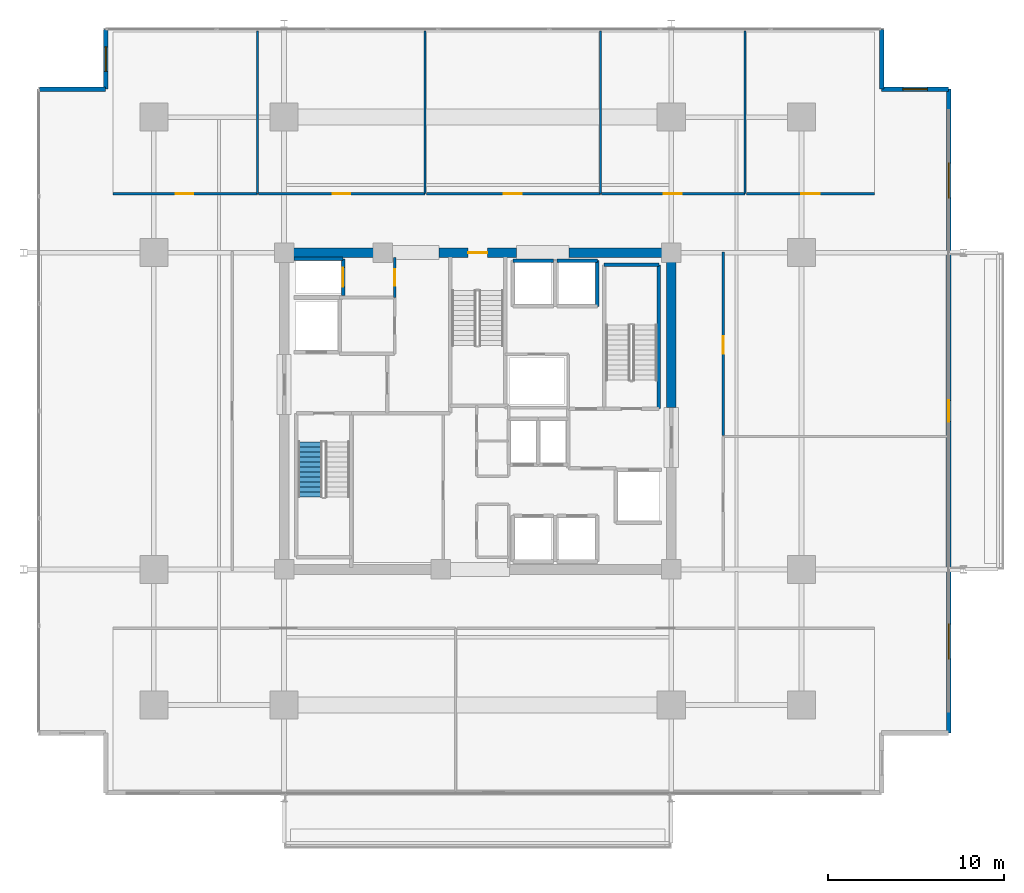
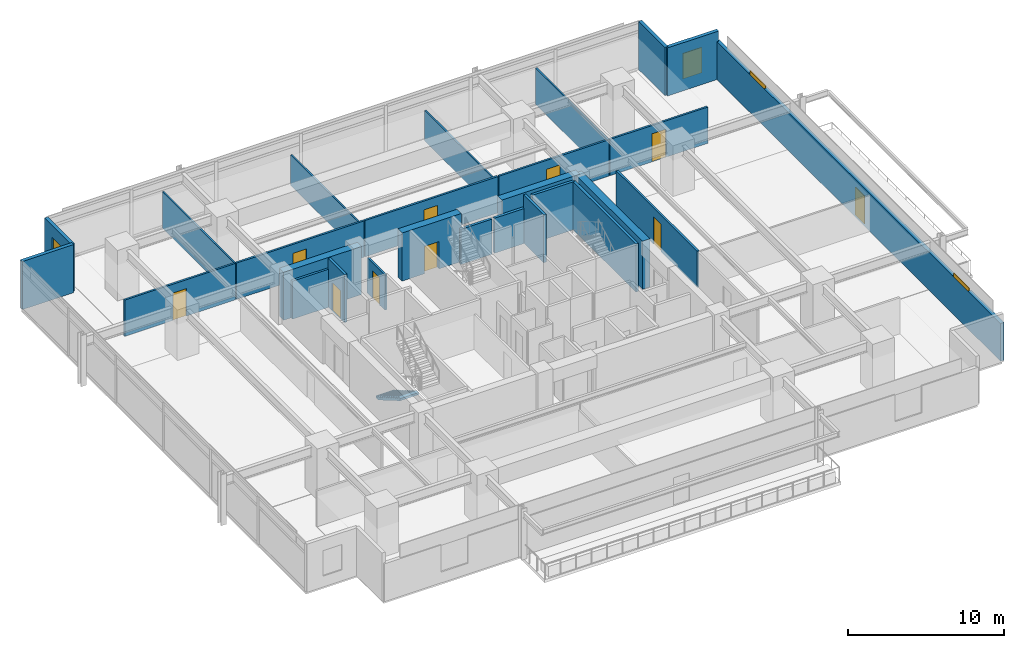
# One storey, part 15 of 21: 27 walls, 10 doors, 4 windows, 1 stair flight, 14 openings, 1 element without a shape of its own.
"""IFC4 building model written with IfcOpenShell, lengths in metres."""

from ifc_helpers import new_model, si_unit, direction, frame, frame_2d, origin, place, context, subcontext, project, spatial, polyline, rectangle, outline, extrude, material, layer, layer_set, type_object, element, fill, aggregate, save


model = new_model("IFC4")

# Units and contexts
model_context = context("Model", 3, precision=1e-05, world=origin(), true_north=direction((0.0, 1.0)))
body_context = subcontext(model_context, "Body", "Model", "MODEL_VIEW")
ifc_project = project(units=[si_unit("LENGTHUNIT", "METRE"), si_unit("AREAUNIT", "SQUARE_METRE"), si_unit("VOLUMEUNIT", "CUBIC_METRE"), si_unit("PLANEANGLEUNIT", "RADIAN"), si_unit("MASSUNIT", "GRAM", prefix="KILO")], contexts=[model_context])

# Site, building, storey
site_placement = place(None, origin())
site = spatial("IfcSite", under=ifc_project, at=site_placement, CompositionType="ELEMENT")
building_placement = place(site_placement, origin())
building = spatial("IfcBuilding", under=site, at=building_placement, Name="Kovane Verandah Tower", CompositionType="ELEMENT")
storey_placement = place(building_placement, frame((0.0, 0.0, 176.39990234375)))
storey = spatial("IfcBuildingStorey", under=building, at=storey_placement, Name="L41", CompositionType="ELEMENT", Elevation=176.39990234375)

# Wall, opening, door
ifc_material_1 = material(Name="Fire-Rated Gypsum Stud Partition", Category="gypsum")
ifc_layer_1 = layer(ifc_material_1, 0.14990234375)
ifc_layer_set_1 = layer_set([ifc_layer_1], Name="Fire-Rated Gypsum Stud Partition")
wall_type_1 = type_object("IfcWallType", Name="WL-COR-150", PredefinedType="PARTITIONING", material=ifc_layer_set_1)
wall_1_placement = place(storey_placement, frame((35.280029296875, 33.949951171875, 0.0), z_axis=(0.0, 0.0, 1.0), x_axis=(0.0, 1.0, 0.0)))
wall_1 = element("IfcWall", 1, at=wall_1_placement, inside=storey, type_object=wall_type_1, Name="L41 Goods Lift Lobby East Fire Partition", PredefinedType="PARTITIONING", context=body_context, shape_type="SweptSolid", body=[
    extrude(rectangle(XDim=2.27001953125, YDim=0.14990234375, at=frame_2d((1.135009765625, 0.0))), origin(), (0.0, 0.0, 1.0), 2.755126953125),
])
opening_1_placement = place(wall_1_placement, frame((0.659912109375, 0.0, 0.0)))
opening_1 = element("IfcOpeningElement", 2, at=opening_1_placement, cuts=wall_1, Name="Opening DR-L41-008", PredefinedType="OPENING", context=body_context, shape_type="SweptSolid", body=[
    extrude(rectangle(XDim=0.949951171875, YDim=2.14990234375, at=frame_2d((0.47509765625, 1.074951171875))), frame((0.0, 0.074951171875, 0.0), z_axis=(0.0, -1.0, 0.0), x_axis=(1.0, 0.0, 0.0)), (0.0, 0.0, 1.0), 0.14990234375),
])
ifc_material_2 = material(Name="Fire-Rated Steel Refuge and Lobby Door", Category="steel")
door_type_1 = type_object("IfcDoorType", Name="DR-FIRE-950", OperationType="SINGLE_SWING_LEFT", PredefinedType="DOOR", material=ifc_material_2)
door_1_placement = place(opening_1_placement, origin())
door_1 = element("IfcDoor", 3, at=door_1_placement, inside=storey, type_object=door_type_1, Name="L41 Goods Lift Lobby Fire Door", OperationType="SINGLE_SWING_LEFT", OverallHeight=2.14990234375, OverallWidth=0.949951171875, PredefinedType="DOOR", context=body_context, shape_type="SweptSolid", body=[
    extrude(rectangle(XDim=0.949951171875, YDim=2.14990234375, at=frame_2d((0.47509765625, 1.074951171875))), frame((0.0, 0.02490234375, 0.0), z_axis=(0.0, -1.0, 0.0), x_axis=(1.0, 0.0, 0.0)), (0.0, 0.0, 1.0), 0.050048828125),
])
fill(opening_1, door_1)

wall_2_placement = place(storey_placement, frame((19.264404296875, 39.85009765625, 0.0), z_axis=(0.0, 0.0, 1.0), x_axis=(1.0, 0.0, 0.0)))
wall_2 = element("IfcWall", 4, at=wall_2_placement, inside=storey, type_object=wall_type_1, Name="L41 Breakout Pantry N1 Corridor Partition", PredefinedType="PARTITIONING", context=body_context, shape_type="SweptSolid", body=[
    extrude(rectangle(XDim=8.225341796875, YDim=0.14990234375, at=frame_2d((4.11279296875, 0.0))), origin(), (0.0, 0.0, 1.0), 2.85009765625),
])
opening_2_placement = place(wall_2_placement, frame((3.57763671875, 0.0, 0.0)))
opening_2 = element("IfcOpeningElement", 5, at=opening_2_placement, cuts=wall_2, Name="Opening DR-L41-016", PredefinedType="OPENING", context=body_context, shape_type="SweptSolid", body=[
    extrude(rectangle(XDim=1.0, YDim=2.14990234375, at=frame_2d((0.5, 1.074951171875))), frame((0.0, 0.074951171875, 0.0), z_axis=(0.0, -1.0, 0.0), x_axis=(1.0, 0.0, 0.0)), (0.0, 0.0, 1.0), 0.14990234375),
])
ifc_material_3 = material(Name="FSC Spotted-Gum Timber Fire-Rated Office Door", Category="wood")
door_type_2 = type_object("IfcDoorType", Name="DR-OFF-1000", OperationType="SINGLE_SWING_LEFT", PredefinedType="DOOR", material=ifc_material_3)
door_2_placement = place(opening_2_placement, origin())
door_2 = element("IfcDoor", 6, at=door_2_placement, inside=storey, type_object=door_type_2, Name="L41 Breakout Pantry N1 Entrance Door", OperationType="SINGLE_SWING_LEFT", OverallHeight=2.14990234375, OverallWidth=1.0, PredefinedType="DOOR", context=body_context, shape_type="SweptSolid", body=[
    extrude(rectangle(XDim=1.0, YDim=2.14990234375, at=frame_2d((0.5, 1.074951171875))), frame((0.0, 0.02490234375, 0.0), z_axis=(0.0, -1.0, 0.0), x_axis=(1.0, 0.0, 0.0)), (0.0, 0.0, 1.0), 0.050048828125),
])
fill(opening_2, door_2)

wall_3_placement = place(storey_placement, frame((27.559814453125, 39.85009765625, 0.0), z_axis=(0.0, 0.0, 1.0), x_axis=(1.0, 0.0, 0.0)))
wall_3 = element("IfcWall", 7, at=wall_3_placement, inside=storey, type_object=wall_type_1, Name="L41 Collaboration Hub N2 Corridor Partition", PredefinedType="PARTITIONING", context=body_context, shape_type="SweptSolid", body=[
    extrude(rectangle(XDim=9.4541015625, YDim=0.14990234375, at=frame_2d((4.72705078125, 0.0))), origin(), (0.0, 0.0, 1.0), 2.85009765625),
])
opening_3_placement = place(wall_3_placement, frame((4.192138671875, 0.0, 0.0)))
opening_3 = element("IfcOpeningElement", 8, at=opening_3_placement, cuts=wall_3, Name="Opening DR-L41-017", PredefinedType="OPENING", context=body_context, shape_type="SweptSolid", body=[
    extrude(rectangle(XDim=1.0, YDim=2.14990234375, at=frame_2d((0.5, 1.074951171875))), frame((0.0, 0.074951171875, 0.0), z_axis=(0.0, -1.0, 0.0), x_axis=(1.0, 0.0, 0.0)), (0.0, 0.0, 1.0), 0.14990234375),
])
door_3_placement = place(opening_3_placement, origin())
door_3 = element("IfcDoor", 9, at=door_3_placement, inside=storey, type_object=door_type_2, Name="L41 Collaboration Hub N2 Entrance Door", OperationType="SINGLE_SWING_RIGHT", OverallHeight=2.14990234375, OverallWidth=1.0, PredefinedType="DOOR", context=body_context, shape_type="SweptSolid", body=[
    extrude(rectangle(XDim=1.0, YDim=2.14990234375, at=frame_2d((0.5, 1.074951171875))), frame((0.0, 0.02490234375, 0.0), z_axis=(0.0, -1.0, 0.0), x_axis=(1.0, 0.0, 0.0)), (0.0, 0.0, 1.0), 0.050048828125),
])
fill(opening_3, door_3)

wall_4_placement = place(storey_placement, frame((37.083740234375, 39.85009765625, 0.0), z_axis=(0.0, 0.0, 1.0), x_axis=(1.0, 0.0, 0.0)))
wall_4 = element("IfcWall", 10, at=wall_4_placement, inside=storey, type_object=wall_type_1, Name="L41 Document and Print Room N3 Corridor Partition", PredefinedType="PARTITIONING", context=body_context, shape_type="SweptSolid", body=[
    extrude(rectangle(XDim=9.886962890625, YDim=0.14990234375, at=frame_2d((4.943359375, 0.0))), origin(), (0.0, 0.0, 1.0), 2.85009765625),
])
opening_4_placement = place(wall_4_placement, frame((4.408447265625, 0.0, 0.0)))
opening_4 = element("IfcOpeningElement", 11, at=opening_4_placement, cuts=wall_4, Name="Opening DR-L41-018", PredefinedType="OPENING", context=body_context, shape_type="SweptSolid", body=[
    extrude(rectangle(XDim=1.0, YDim=2.14990234375, at=frame_2d((0.5, 1.074951171875))), frame((0.0, 0.074951171875, 0.0), z_axis=(0.0, -1.0, 0.0), x_axis=(1.0, 0.0, 0.0)), (0.0, 0.0, 1.0), 0.14990234375),
])
door_4_placement = place(opening_4_placement, origin())
door_4 = element("IfcDoor", 12, at=door_4_placement, inside=storey, type_object=door_type_2, Name="L41 Document and Print Room N3 Entrance Door", OperationType="SINGLE_SWING_LEFT", OverallHeight=2.14990234375, OverallWidth=1.0, PredefinedType="DOOR", context=body_context, shape_type="SweptSolid", body=[
    extrude(rectangle(XDim=1.0, YDim=2.14990234375, at=frame_2d((0.5, 1.074951171875))), frame((0.0, 0.02490234375, 0.0), z_axis=(0.0, -1.0, 0.0), x_axis=(1.0, 0.0, 0.0)), (0.0, 0.0, 1.0), 0.050048828125),
])
fill(opening_4, door_4)

wall_5_placement = place(storey_placement, frame((47.040771484375, 39.85009765625, 0.0), z_axis=(0.0, 0.0, 1.0), x_axis=(1.0, 0.0, 0.0)))
wall_5 = element("IfcWall", 13, at=wall_5_placement, inside=storey, type_object=wall_type_1, Name="L41 Open Plan Office N4 Corridor Partition", PredefinedType="PARTITIONING", context=body_context, shape_type="SweptSolid", body=[
    extrude(rectangle(XDim=8.155517578125, YDim=0.14990234375, at=frame_2d((4.07763671875, 0.0))), origin(), (0.0, 0.0, 1.0), 2.85009765625),
])
opening_5_placement = place(wall_5_placement, frame((3.542724609375, 0.0, 0.0)))
opening_5 = element("IfcOpeningElement", 14, at=opening_5_placement, cuts=wall_5, Name="Opening DR-L41-019", PredefinedType="OPENING", context=body_context, shape_type="SweptSolid", body=[
    extrude(rectangle(XDim=1.0, YDim=2.14990234375, at=frame_2d((0.5, 1.074951171875))), frame((0.0, 0.074951171875, 0.0), z_axis=(0.0, -1.0, 0.0), x_axis=(1.0, 0.0, 0.0)), (0.0, 0.0, 1.0), 0.14990234375),
])
door_5_placement = place(opening_5_placement, origin())
door_5 = element("IfcDoor", 15, at=door_5_placement, inside=storey, type_object=door_type_2, Name="L41 Open Plan Office N4 Entrance Door", OperationType="SINGLE_SWING_RIGHT", OverallHeight=2.14990234375, OverallWidth=1.0, PredefinedType="DOOR", context=body_context, shape_type="SweptSolid", body=[
    extrude(rectangle(XDim=1.0, YDim=2.14990234375, at=frame_2d((0.5, 1.074951171875))), frame((0.0, 0.02490234375, 0.0), z_axis=(0.0, -1.0, 0.0), x_axis=(1.0, 0.0, 0.0)), (0.0, 0.0, 1.0), 0.050048828125),
])
fill(opening_5, door_5)

wall_6_placement = place(storey_placement, frame((55.26611328125, 39.85009765625, 0.0), z_axis=(0.0, 0.0, 1.0), x_axis=(1.0, 0.0, 0.0)))
wall_6 = element("IfcWall", 16, at=wall_6_placement, inside=storey, type_object=wall_type_1, Name="L41 Executive Office N5 Corridor Partition", PredefinedType="PARTITIONING", context=body_context, shape_type="SweptSolid", body=[
    extrude(rectangle(XDim=7.28955078125, YDim=0.14990234375, at=frame_2d((3.644775390625, 0.0))), origin(), (0.0, 0.0, 1.0), 2.85009765625),
])
opening_6_placement = place(wall_6_placement, frame((3.119873046875, 0.0, 0.0)))
opening_6 = element("IfcOpeningElement", 17, at=opening_6_placement, cuts=wall_6, Name="Opening DR-L41-020", PredefinedType="OPENING", context=body_context, shape_type="SweptSolid", body=[
    extrude(rectangle(XDim=1.050048828125, YDim=2.199951171875, at=frame_2d((0.52490234375, 1.10009765625))), frame((0.0, 0.074951171875, 0.0), z_axis=(0.0, -1.0, 0.0), x_axis=(1.0, 0.0, 0.0)), (0.0, 0.0, 1.0), 0.14990234375),
])
ifc_material_4 = material(Name="FSC Blackbutt Timber Fire-Rated Executive Door", Category="wood")
door_type_3 = type_object("IfcDoorType", Name="DR-EXEC-1050", OperationType="SINGLE_SWING_LEFT", PredefinedType="DOOR", material=ifc_material_4)
door_6_placement = place(opening_6_placement, origin())
door_6 = element("IfcDoor", 18, at=door_6_placement, inside=storey, type_object=door_type_3, Name="L41 Executive Office N5 Entrance Door", OperationType="SINGLE_SWING_LEFT", OverallHeight=2.199951171875, OverallWidth=1.050048828125, PredefinedType="DOOR", context=body_context, shape_type="SweptSolid", body=[
    extrude(rectangle(XDim=1.050048828125, YDim=2.199951171875, at=frame_2d((0.52490234375, 1.10009765625))), frame((0.0, 0.02490234375, 0.0), z_axis=(0.0, -1.0, 0.0), x_axis=(1.0, 0.0, 0.0)), (0.0, 0.0, 1.0), 0.050048828125),
])
fill(opening_6, door_6)

wall_7_placement = place(storey_placement, frame((53.949951171875, 26.1220703125, 0.0), z_axis=(0.0, 0.0, 1.0), x_axis=(0.0, 1.0, 0.0)))
wall_7 = element("IfcWall", 19, at=wall_7_placement, inside=storey, type_object=wall_type_1, Name="L41 Collaboration Hub E2 Corridor Partition", PredefinedType="PARTITIONING", context=body_context, shape_type="SweptSolid", body=[
    extrude(rectangle(XDim=10.427978515625, YDim=0.14990234375, at=frame_2d((5.2138671875, 0.0))), origin(), (0.0, 0.0, 1.0), 2.85009765625),
])
opening_7_placement = place(wall_7_placement, frame((4.638916015625, 0.0, 0.0)))
opening_7 = element("IfcOpeningElement", 20, at=opening_7_placement, cuts=wall_7, Name="Opening DR-L41-013", PredefinedType="OPENING", context=body_context, shape_type="SweptSolid", body=[
    extrude(rectangle(XDim=1.0, YDim=2.14990234375, at=frame_2d((0.5, 1.074951171875))), frame((0.0, 0.074951171875, 0.0), z_axis=(0.0, -1.0, 0.0), x_axis=(1.0, 0.0, 0.0)), (0.0, 0.0, 1.0), 0.14990234375),
])
door_7_placement = place(opening_7_placement, origin())
door_7 = element("IfcDoor", 21, at=door_7_placement, inside=storey, type_object=door_type_2, Name="L41 Collaboration Hub E2 Entrance Door", OperationType="SINGLE_SWING_RIGHT", OverallHeight=2.14990234375, OverallWidth=1.0, PredefinedType="DOOR", context=body_context, shape_type="SweptSolid", body=[
    extrude(rectangle(XDim=1.0, YDim=2.14990234375, at=frame_2d((0.5, 1.074951171875))), frame((0.0, 0.02490234375, 0.0), z_axis=(0.0, -1.0, 0.0), x_axis=(1.0, 0.0, 0.0)), (0.0, 0.0, 1.0), 0.050048828125),
])
fill(opening_7, door_7)

# Wall
ifc_material_5 = material(Name="Concrete C60/75", Category="concrete")
ifc_layer_2 = layer(ifc_material_5, 0.550048828125)
ifc_layer_set_2 = layer_set([ifc_layer_2], Name="Concrete C60/75")
wall_type_2 = type_object("IfcWallType", Name="WL-CORE-550", PredefinedType="SHEAR", material=ifc_layer_set_2)
wall_8_placement = place(storey_placement, frame((29.0, 36.5, 0.0), z_axis=(0.0, 0.0, 1.0), x_axis=(1.0, 0.0, 0.0)))
element("IfcWall", 22, at=wall_8_placement, inside=storey, type_object=wall_type_2, Name="L41 Core Shear Wall CN-1", PredefinedType="SHEAR", context=body_context, shape_type="SweptSolid", body=[
    extrude(rectangle(XDim=5.800048828125, YDim=0.550048828125, at=frame_2d((2.89990234375, 0.0))), origin(), (0.0, 0.0, 1.0), 3.775146484375),
])

# Wall, opening, door
wall_9_placement = place(storey_placement, frame((37.800048828125, 36.5, 0.0), z_axis=(0.0, 0.0, 1.0), x_axis=(1.0, 0.0, 0.0)))
wall_9 = element("IfcWall", 23, at=wall_9_placement, inside=storey, type_object=wall_type_2, Name="L41 Core Shear Wall CN-2", PredefinedType="SHEAR", context=body_context, shape_type="SweptSolid", body=[
    extrude(rectangle(XDim=4.39990234375, YDim=0.550048828125, at=frame_2d((2.199951171875, 0.0))), origin(), (0.0, 0.0, 1.0), 3.775146484375),
])
opening_8_placement = place(wall_9_placement, frame((1.64990234375, 0.0, 0.0)))
opening_8 = element("IfcOpeningElement", 24, at=opening_8_placement, cuts=wall_9, Name="Opening DR-L41-011", PredefinedType="OPENING", context=body_context, shape_type="SweptSolid", body=[
    extrude(rectangle(XDim=1.10009765625, YDim=2.14990234375, at=frame_2d((0.550048828125, 1.074951171875))), frame((0.0, 0.27490234375, 0.0), z_axis=(0.0, -1.0, 0.0), x_axis=(1.0, 0.0, 0.0)), (0.0, 0.0, 1.0), 0.550048828125),
])
ifc_material_6 = material(Name="Fire-Rated Steel Exit Door", Category="steel")
door_type_4 = type_object("IfcDoorType", Name="DR-STAIR-1100", OperationType="SINGLE_SWING_LEFT", PredefinedType="DOOR", material=ifc_material_6)
door_8_placement = place(opening_8_placement, origin())
door_8 = element("IfcDoor", 25, at=door_8_placement, inside=storey, type_object=door_type_4, Name="L41 ST-03 Fire Exit Stair Door", OperationType="SINGLE_SWING_LEFT", OverallHeight=2.14990234375, OverallWidth=1.10009765625, PredefinedType="DOOR", context=body_context, shape_type="SweptSolid", body=[
    extrude(rectangle(XDim=1.10009765625, YDim=2.14990234375, at=frame_2d((0.550048828125, 1.074951171875))), frame((0.0, 0.02490234375, 0.0), z_axis=(0.0, -1.0, 0.0), x_axis=(1.0, 0.0, 0.0)), (0.0, 0.0, 1.0), 0.050048828125),
])
fill(opening_8, door_8)

# Walls
wall_10_placement = place(storey_placement, frame((45.199951171875, 36.5, 0.0), z_axis=(0.0, 0.0, 1.0), x_axis=(1.0, 0.0, 0.0)))
element("IfcWall", 26, at=wall_10_placement, inside=storey, type_object=wall_type_2, Name="L41 Core Shear Wall CN-3", PredefinedType="SHEAR", context=body_context, shape_type="SweptSolid", body=[
    extrude(rectangle(XDim=5.800048828125, YDim=0.550048828125, at=frame_2d((2.89990234375, 0.0))), origin(), (0.0, 0.0, 1.0), 3.775146484375),
])
wall_11_placement = place(storey_placement, frame((51.0, 27.699951171875, 0.0), z_axis=(0.0, 0.0, 1.0), x_axis=(0.0, 1.0, 0.0)))
element("IfcWall", 27, at=wall_11_placement, inside=storey, type_object=wall_type_2, Name="L41 Core Shear Wall CE-2", PredefinedType="SHEAR", context=body_context, shape_type="SweptSolid", body=[
    extrude(rectangle(XDim=8.800048828125, YDim=0.550048828125, at=frame_2d((4.39990234375, 0.0))), origin(), (0.0, 0.0, 1.0), 3.775146484375),
])
ifc_material_7 = material(Name="Concrete C45/55 Lift Shaft Wall", Category="concrete")
ifc_layer_3 = layer(ifc_material_7, 0.199951171875)
ifc_layer_set_3 = layer_set([ifc_layer_3], Name="Concrete C45/55 Lift Shaft Wall")
wall_type_3 = type_object("IfcWallType", Name="WL-LIFT-200", PredefinedType="SOLIDWALL", material=ifc_layer_set_3)
wall_12_placement = place(storey_placement, frame((32.35009765625, 36.14990234375, 0.0), z_axis=(0.0, 0.0, 1.0), x_axis=(-1.0, 0.0, 0.0)))
element("IfcWall", 28, at=wall_12_placement, inside=storey, type_object=wall_type_3, Name="L41 Lift GL-01 N Shaft Wall", PredefinedType="SOLIDWALL", context=body_context, shape_type="SweptSolid", body=[
    extrude(rectangle(XDim=2.800048828125, YDim=0.199951171875, at=frame_2d((1.39990234375, 0.0))), origin(), (0.0, 0.0, 1.0), 2.9853515625),
])

# Wall, opening, door
wall_13_placement = place(storey_placement, frame((32.35009765625, 34.050048828125, 0.0), z_axis=(0.0, 0.0, 1.0), x_axis=(0.0, 1.0, 0.0)))
wall_13 = element("IfcWall", 29, at=wall_13_placement, inside=storey, type_object=wall_type_3, Name="L41 Lift GL-01 E Shaft Wall", PredefinedType="SOLIDWALL", context=body_context, shape_type="SweptSolid", body=[
    extrude(rectangle(XDim=2.099853515625, YDim=0.199951171875, at=frame_2d((1.0498046875, 0.0))), origin(), (0.0, 0.0, 1.0), 3.775146484375),
])
opening_9_placement = place(wall_13_placement, frame((0.5, 0.0, 0.0)))
opening_9 = element("IfcOpeningElement", 30, at=opening_9_placement, cuts=wall_13, Name="Opening LD-L41-003", PredefinedType="OPENING", context=body_context, shape_type="SweptSolid", body=[
    extrude(rectangle(XDim=1.10009765625, YDim=2.199951171875, at=frame_2d((0.550048828125, 1.10009765625))), frame((0.0, 0.10009765625, 0.0), z_axis=(0.0, -1.0, 0.0), x_axis=(1.0, 0.0, 0.0)), (0.0, 0.0, 1.0), 0.199951171875),
])
ifc_material_8 = material(Name="Brushed Stainless Steel Sliding Lift Landing Door", Category="steel")
door_type_5 = type_object("IfcDoorType", Name="DR-LIFT-1100", OperationType="SLIDING_TO_RIGHT", PredefinedType="DOOR", material=ifc_material_8)
door_9_placement = place(opening_9_placement, origin())
door_9 = element("IfcDoor", 31, at=door_9_placement, inside=storey, type_object=door_type_5, Name="L41 Lift GL-01 Sliding Landing Door", OperationType="SLIDING_TO_RIGHT", OverallHeight=2.199951171875, OverallWidth=1.10009765625, PredefinedType="DOOR", context=body_context, shape_type="SweptSolid", body=[
    extrude(rectangle(XDim=1.10009765625, YDim=2.199951171875, at=frame_2d((0.550048828125, 1.10009765625))), frame((0.0, 0.02490234375, 0.0), z_axis=(0.0, -1.0, 0.0), x_axis=(1.0, 0.0, 0.0)), (0.0, 0.0, 1.0), 0.050048828125),
])
fill(opening_9, door_9)

# Walls
for number, where, z_axis, x_axis, name in (
    (32, (44.300048828125, 36.050048828125, 0.0), (0.0, 0.0, 1.0), (-1.0, 0.0, 0.0), "L41 Lift SL-01 N Shaft Wall"),
    (33, (46.800048828125, 36.050048828125, 0.0), (0.0, 0.0, 1.0), (-1.0, 0.0, 0.0), "L41 Lift OL-01 N Shaft Wall"),
):
    element("IfcWall", number, at=place(storey_placement, frame(where, z_axis=z_axis, x_axis=x_axis)), inside=storey, type_object=wall_type_3, Name=name, PredefinedType="SOLIDWALL", context=body_context, shape_type="SweptSolid", body=[
        extrude(rectangle(XDim=2.300048828125, YDim=0.199951171875, at=frame_2d((1.14990234375, 0.0))), origin(), (0.0, 0.0, 1.0), 2.755126953125),
    ])
wall_14_placement = place(storey_placement, frame((46.800048828125, 33.449951171875, 0.0), z_axis=(0.0, 0.0, 1.0), x_axis=(0.0, 1.0, 0.0)))
element("IfcWall", 34, at=wall_14_placement, inside=storey, type_object=wall_type_3, Name="L41 Lift OL-01 E Shaft Wall", PredefinedType="SOLIDWALL", context=body_context, shape_type="SweptSolid", body=[
    extrude(rectangle(XDim=2.60009765625, YDim=0.199951171875, at=frame_2d((1.300048828125, 0.0))), origin(), (0.0, 0.0, 1.0), 3.775146484375),
])
ifc_material_9 = material(Name="Acoustic Fire-Rated Gypsum Partition", Category="gypsum")
ifc_layer_4 = layer(ifc_material_9, 0.1201171875)
ifc_layer_set_4 = layer_set([ifc_layer_4], Name="Acoustic Fire-Rated Gypsum Partition")
wall_type_4 = type_object("IfcWallType", Name="WL-PART-120", PredefinedType="PARTITIONING", material=ifc_layer_set_4)
wall_15_placement = place(storey_placement, frame((27.48974609375, 39.85009765625, 0.0), z_axis=(0.0, 0.0, 1.0), x_axis=(0.0, 1.0, 0.0)))
element("IfcWall", 35, at=wall_15_placement, inside=storey, type_object=wall_type_4, Name="L41 Breakout Pantry N1 Dividing Partition", PredefinedType="PARTITIONING", context=body_context, shape_type="SweptSolid", body=[
    extrude(rectangle(XDim=9.244873046875, YDim=0.1201171875, at=frame_2d((4.62255859375, 0.0))), origin(), (0.0, 0.0, 1.0), 2.85009765625),
])
for number, where, z_axis, x_axis, name in (
    (36, (37.013916015625, 39.85009765625, 0.0), (0.0, 0.0, 1.0), (0.0, 1.0, 0.0), "L41 Collaboration Hub N2 Dividing Partition"),
    (37, (46.970703125, 39.85009765625, 0.0), (0.0, 0.0, 1.0), (0.0, 1.0, 0.0), "L41 Document and Print Room N3 Dividing Partition"),
):
    element("IfcWall", number, at=place(storey_placement, frame(where, z_axis=z_axis, x_axis=x_axis)), inside=storey, type_object=wall_type_4, Name=name, PredefinedType="PARTITIONING", context=body_context, shape_type="SweptSolid", body=[
        extrude(rectangle(XDim=9.244873046875, YDim=0.1201171875, at=frame_2d((4.62255859375, 0.0))), origin(), (0.0, 0.0, 1.0), 2.405029296875),
    ])
wall_16_placement = place(storey_placement, frame((55.1962890625, 39.85009765625, 0.0), z_axis=(0.0, 0.0, 1.0), x_axis=(0.0, 1.0, 0.0)))
element("IfcWall", 38, at=wall_16_placement, inside=storey, type_object=wall_type_4, Name="L41 Open Plan Office N4 Dividing Partition", PredefinedType="PARTITIONING", context=body_context, shape_type="SweptSolid", body=[
    extrude(rectangle(XDim=9.244873046875, YDim=0.1201171875, at=frame_2d((4.62255859375, 0.0))), origin(), (0.0, 0.0, 1.0), 2.85009765625),
])
ifc_material_10 = material(Name="Concrete C45/55", Category="concrete")
ifc_layer_5 = layer(ifc_material_10, 0.199951171875)
ifc_layer_set_5 = layer_set([ifc_layer_5], Name="Concrete C45/55")
wall_type_5 = type_object("IfcWallType", Name="WL-SHAFT-200", PredefinedType="SOLIDWALL", material=ifc_layer_set_5)
wall_17_placement = place(storey_placement, frame((50.300048828125, 27.64990234375, 0.0), z_axis=(0.0, 0.0, 1.0), x_axis=(0.0, 1.0, 0.0)))
element("IfcWall", 39, at=wall_17_placement, inside=storey, type_object=wall_type_5, Name="W-L41-ST02-E", PredefinedType="SOLIDWALL", context=body_context, shape_type="SweptSolid", body=[
    extrude(rectangle(XDim=8.150146484375, YDim=0.199951171875, at=frame_2d((4.0751953125, 0.0))), origin(), (0.0, 0.0, 1.0), 3.775146484375),
])
wall_18_placement = place(storey_placement, frame((47.179931640625, 35.800048828125, 0.0), z_axis=(0.0, 0.0, 1.0), x_axis=(1.0, 0.0, 0.0)))
element("IfcWall", 40, at=wall_18_placement, inside=storey, type_object=wall_type_5, Name="W-L41-ST02-N", PredefinedType="SOLIDWALL", context=body_context, shape_type="SweptSolid", body=[
    extrude(rectangle(XDim=3.1201171875, YDim=0.199951171875, at=frame_2d((1.56005859375, 0.0))), origin(), (0.0, 0.0, 1.0), 3.775146484375),
])

# Wall, openings, door, windows
ifc_material_11 = material(Name="Concrete C45/55 Insulated Spandrel Wall", Category="concrete")
ifc_layer_6 = layer(ifc_material_11, 0.260009765625)
ifc_layer_set_6 = layer_set([ifc_layer_6], Name="Concrete C45/55 Insulated Spandrel Wall")
wall_type_6 = type_object("IfcWallType", Name="WL-SPANDREL-260", PredefinedType="PARAPET", material=ifc_layer_set_6)
wall_19_placement = place(storey_placement, frame((66.755615234375, 9.205078125, 0.0), z_axis=(0.0, 0.0, 1.0), x_axis=(0.0, 1.0, 0.0)))
wall_19 = element("IfcWall", 41, at=wall_19_placement, inside=storey, type_object=wall_type_6, Name="L41 E Verandah Access Facade Wall", PredefinedType="PARAPET", context=body_context, shape_type="SweptSolid", body=[
    extrude(rectangle(XDim=36.58984375, YDim=0.260009765625, at=frame_2d((18.294921875, 0.0))), origin(), (0.0, 0.0, 1.0), 2.97021484375),
])
opening_10_placement = place(wall_19_placement, frame((4.199951171875, 0.0, 0.85009765625)))
opening_10 = element("IfcOpeningElement", 42, at=opening_10_placement, cuts=wall_19, Name="Opening W-04", PredefinedType="OPENING", context=body_context, shape_type="SweptSolid", body=[
    extrude(rectangle(XDim=2.0, YDim=2.300048828125, at=frame_2d((1.0, 1.14990234375))), frame((0.0, 0.1298828125, 0.0), z_axis=(0.0, -1.0, 0.0), x_axis=(1.0, 0.0, 0.0)), (0.0, 0.0, 1.0), 0.260009765625),
])
opening_11_placement = place(wall_19_placement, frame((17.695068359375, 0.0, 0.0)))
opening_11 = element("IfcOpeningElement", 43, at=opening_11_placement, cuts=wall_19, Name="Opening DR-L41-001", PredefinedType="OPENING", context=body_context, shape_type="SweptSolid", body=[
    extrude(rectangle(XDim=1.199951171875, YDim=2.199951171875, at=frame_2d((0.60009765625, 1.10009765625))), frame((0.0, 0.1298828125, 0.0), z_axis=(0.0, -1.0, 0.0), x_axis=(1.0, 0.0, 0.0)), (0.0, 0.0, 1.0), 0.260009765625),
])
opening_12_placement = place(wall_19_placement, frame((30.389892578125, 0.0, 0.85009765625)))
opening_12 = element("IfcOpeningElement", 44, at=opening_12_placement, cuts=wall_19, Name="Opening W-04", PredefinedType="OPENING", context=body_context, shape_type="SweptSolid", body=[
    extrude(rectangle(XDim=2.0, YDim=2.300048828125, at=frame_2d((1.0, 1.14990234375))), frame((0.0, 0.1298828125, 0.0), z_axis=(0.0, -1.0, 0.0), x_axis=(1.0, 0.0, 0.0)), (0.0, 0.0, 1.0), 0.260009765625),
])
ifc_material_12 = material(Name="Cyclone-Rated Glazed Balcony Leaf Door", Category="aluminium")
door_type_6 = type_object("IfcDoorType", Name="DR-BAL-1200x2200", OperationType="SINGLE_SWING_LEFT", PredefinedType="DOOR", material=ifc_material_12)
door_10_placement = place(opening_11_placement, origin())
door_10 = element("IfcDoor", 45, at=door_10_placement, inside=storey, type_object=door_type_6, Name="L41 E Planted Balcony Access Door", OperationType="SINGLE_SWING_LEFT", OverallHeight=2.199951171875, OverallWidth=1.199951171875, PredefinedType="DOOR", context=body_context, shape_type="SweptSolid", body=[
    extrude(rectangle(XDim=1.199951171875, YDim=2.199951171875, at=frame_2d((0.60009765625, 1.10009765625))), frame((0.0, 0.02490234375, 0.0), z_axis=(0.0, -1.0, 0.0), x_axis=(1.0, 0.0, 0.0)), (0.0, 0.0, 1.0), 0.050048828125),
])
fill(opening_11, door_10)
ifc_material_13 = material(Name="Clear Low-E Laminated Double Glazing in Anodised Frame", Category="glass")
window_type_1 = type_object("IfcWindowType", Name="WN-FIXED-2000x2300", PartitioningType="SINGLE_PANEL", PredefinedType="WINDOW", material=ifc_material_13)
window_1_placement = place(opening_10_placement, origin())
window_1 = element("IfcWindow", 46, at=window_1_placement, inside=storey, type_object=window_type_1, Name="L41 E Verandah View Window 1", OverallHeight=2.300048828125, OverallWidth=2.0, PartitioningType="SINGLE_PANEL", PredefinedType="WINDOW", context=body_context, shape_type="SweptSolid", body=[
    extrude(rectangle(XDim=2.0, YDim=2.300048828125, at=frame_2d((1.0, 1.14990234375))), frame((0.0, 0.030029296875, 0.0), z_axis=(0.0, -1.0, 0.0), x_axis=(1.0, 0.0, 0.0)), (0.0, 0.0, 1.0), 0.06005859375),
])
fill(opening_10, window_1)
window_2_placement = place(opening_12_placement, origin())
window_2 = element("IfcWindow", 47, at=window_2_placement, inside=storey, type_object=window_type_1, Name="L41 E Verandah View Window 2", OverallHeight=2.300048828125, OverallWidth=2.0, PartitioningType="SINGLE_PANEL", PredefinedType="WINDOW", context=body_context, shape_type="SweptSolid", body=[
    extrude(rectangle(XDim=2.0, YDim=2.300048828125, at=frame_2d((1.0, 1.14990234375))), frame((0.0, 0.030029296875, 0.0), z_axis=(0.0, -1.0, 0.0), x_axis=(1.0, 0.0, 0.0)), (0.0, 0.0, 1.0), 0.06005859375),
])
fill(opening_12, window_2)

# Wall, opening, window
wall_20_placement = place(storey_placement, frame((66.755615234375, 45.794921875, 0.0), z_axis=(0.0, 0.0, 1.0), x_axis=(-1.0, 0.0, 0.0)))
wall_20 = element("IfcWall", 48, at=wall_20_placement, inside=storey, type_object=wall_type_6, Name="L41 NE Notch Cheek Wall 1", PredefinedType="PARAPET", context=body_context, shape_type="SweptSolid", body=[
    extrude(rectangle(XDim=3.7998046875, YDim=0.260009765625, at=frame_2d((1.89990234375, 0.0))), origin(), (0.0, 0.0, 1.0), 3.775146484375),
])
opening_13_placement = place(wall_20_placement, frame((1.199951171875, 0.0, 0.85009765625)))
opening_13 = element("IfcOpeningElement", 49, at=opening_13_placement, cuts=wall_20, Name="Opening W-01", PredefinedType="OPENING", context=body_context, shape_type="SweptSolid", body=[
    extrude(rectangle(XDim=1.39990234375, YDim=2.0, at=frame_2d((0.699951171875, 1.0))), frame((0.0, 0.1298828125, 0.0), z_axis=(0.0, -1.0, 0.0), x_axis=(1.0, 0.0, 0.0)), (0.0, 0.0, 1.0), 0.260009765625),
])
window_type_2 = type_object("IfcWindowType", Name="WN-OPER-1400x2000", PartitioningType="SINGLE_PANEL", PredefinedType="WINDOW", material=ifc_material_13)
window_3_placement = place(opening_13_placement, origin())
window_3 = element("IfcWindow", 50, at=window_3_placement, inside=storey, type_object=window_type_2, Name="L41 NE Re-Entrant Corner Operable Window", OverallHeight=2.0, OverallWidth=1.39990234375, PartitioningType="SINGLE_PANEL", PredefinedType="WINDOW", context=body_context, shape_type="SweptSolid", body=[
    extrude(rectangle(XDim=1.39990234375, YDim=2.0, at=frame_2d((0.699951171875, 1.0))), frame((0.0, 0.030029296875, 0.0), z_axis=(0.0, -1.0, 0.0), x_axis=(1.0, 0.0, 0.0)), (0.0, 0.0, 1.0), 0.06005859375),
])
fill(opening_13, window_3)

# Wall
wall_21_placement = place(storey_placement, frame((62.955810546875, 45.794921875, 0.0), z_axis=(0.0, 0.0, 1.0), x_axis=(0.0, 1.0, 0.0)))
element("IfcWall", 51, at=wall_21_placement, inside=storey, type_object=wall_type_6, Name="L41 NE Notch Cheek Wall 2", PredefinedType="PARAPET", context=body_context, shape_type="SweptSolid", body=[
    extrude(rectangle(XDim=3.400146484375, YDim=0.260009765625, at=frame_2d((1.7001953125, 0.0))), origin(), (0.0, 0.0, 1.0), 3.775146484375),
])

# Wall, opening, window
wall_22_placement = place(storey_placement, frame((18.8642578125, 49.195068359375, 0.0), z_axis=(0.0, 0.0, 1.0), x_axis=(0.0, -1.0, 0.0)))
wall_22 = element("IfcWall", 52, at=wall_22_placement, inside=storey, type_object=wall_type_6, Name="L41 NW Notch Cheek Wall 1", PredefinedType="PARAPET", context=body_context, shape_type="SweptSolid", body=[
    extrude(rectangle(XDim=3.400146484375, YDim=0.260009765625, at=frame_2d((1.7001953125, 0.0))), origin(), (0.0, 0.0, 1.0), 3.775146484375),
])
opening_14_placement = place(wall_22_placement, frame((1.0, 0.0, 0.85009765625)))
opening_14 = element("IfcOpeningElement", 53, at=opening_14_placement, cuts=wall_22, Name="Opening W-01", PredefinedType="OPENING", context=body_context, shape_type="SweptSolid", body=[
    extrude(rectangle(XDim=1.39990234375, YDim=2.0, at=frame_2d((0.699951171875, 1.0))), frame((0.0, 0.1298828125, 0.0), z_axis=(0.0, -1.0, 0.0), x_axis=(1.0, 0.0, 0.0)), (0.0, 0.0, 1.0), 0.260009765625),
])
window_4_placement = place(opening_14_placement, origin())
window_4 = element("IfcWindow", 54, at=window_4_placement, inside=storey, type_object=window_type_2, Name="L41 NW Re-Entrant Corner Operable Window", OverallHeight=2.0, OverallWidth=1.39990234375, PartitioningType="SINGLE_PANEL", PredefinedType="WINDOW", context=body_context, shape_type="SweptSolid", body=[
    extrude(rectangle(XDim=1.39990234375, YDim=2.0, at=frame_2d((0.699951171875, 1.0))), frame((0.0, 0.030029296875, 0.0), z_axis=(0.0, -1.0, 0.0), x_axis=(1.0, 0.0, 0.0)), (0.0, 0.0, 1.0), 0.06005859375),
])
fill(opening_14, window_4)

# Wall
wall_23_placement = place(storey_placement, frame((18.8642578125, 45.794921875, 0.0), z_axis=(0.0, 0.0, 1.0), x_axis=(-1.0, 0.0, 0.0)))
element("IfcWall", 55, at=wall_23_placement, inside=storey, type_object=wall_type_6, Name="L41 NW Notch Cheek Wall 2", PredefinedType="PARAPET", context=body_context, shape_type="SweptSolid", body=[
    extrude(rectangle(XDim=3.800048828125, YDim=0.260009765625, at=frame_2d((1.89990234375, 0.0))), origin(), (0.0, 0.0, 1.0), 3.775146484375),
])

# Stair, stair flight
stair_type = type_object("IfcStairType", Name="ST-CORE-1380", PredefinedType="HALF_TURN_STAIR", material=ifc_material_10)
stair_placement = place(storey_placement, origin())
stair = element("IfcStair", 56, at=stair_placement, inside=storey, type_object=stair_type, Name="L41 Exit Stair ST-01", PredefinedType="HALF_TURN_STAIR")
stair_flight_type = type_object("IfcStairFlightType", Name="STF-CORE-1380", PredefinedType="STRAIGHT", material=ifc_material_10)
stair_flight_placement = place(storey_placement, frame((30.489990234375, 25.75, 0.0), z_axis=(0.0, 0.0, 1.0), x_axis=(0.0, -1.0, 0.0)))
stair_flight = element("IfcStairFlight", 57, at=stair_flight_placement, type_object=stair_flight_type, Name="ST-01 flight 1", NumberOfRisers=12, NumberOfTreads=11, PredefinedType="STRAIGHT", RiserHeight=0.166666667, TreadLength=0.285, context=body_context, shape_type="SweptSolid", body=[
    extrude(outline(polyline([(0.0, 0.0), (0.0, 0.166748046875), (0.284912109375, 0.166748046875), (0.284912109375, 0.333251953125), (0.570068359375, 0.333251953125), (0.570068359375, 0.5), (0.85498046875, 0.5), (0.85498046875, 0.666748046875), (1.139892578125, 0.666748046875), (1.139892578125, 0.833251953125), (1.425048828125, 0.833251953125), (1.425048828125, 1.0), (1.7099609375, 1.0), (1.7099609375, 1.166748046875), (1.9951171875, 1.166748046875), (1.9951171875, 1.333251953125), (2.280029296875, 1.333251953125), (2.280029296875, 1.5), (2.56494140625, 1.5), (2.56494140625, 1.666748046875), (2.85009765625, 1.666748046875), (2.85009765625, 1.833251953125), (3.135009765625, 1.833251953125), (3.135009765625, 2.0), (3.135009765625, 1.65966796875), (0.296875, 0.0), (0.0, 0.0)])), frame((0.0, 0.68994140625, 0.0), z_axis=(0.0, -1.0, 0.0), x_axis=(1.0, 0.0, 0.0)), (0.0, 0.0, 1.0), 1.3798828125),
])
aggregate(stair, [stair_flight])

save(model, "model.ifc")
